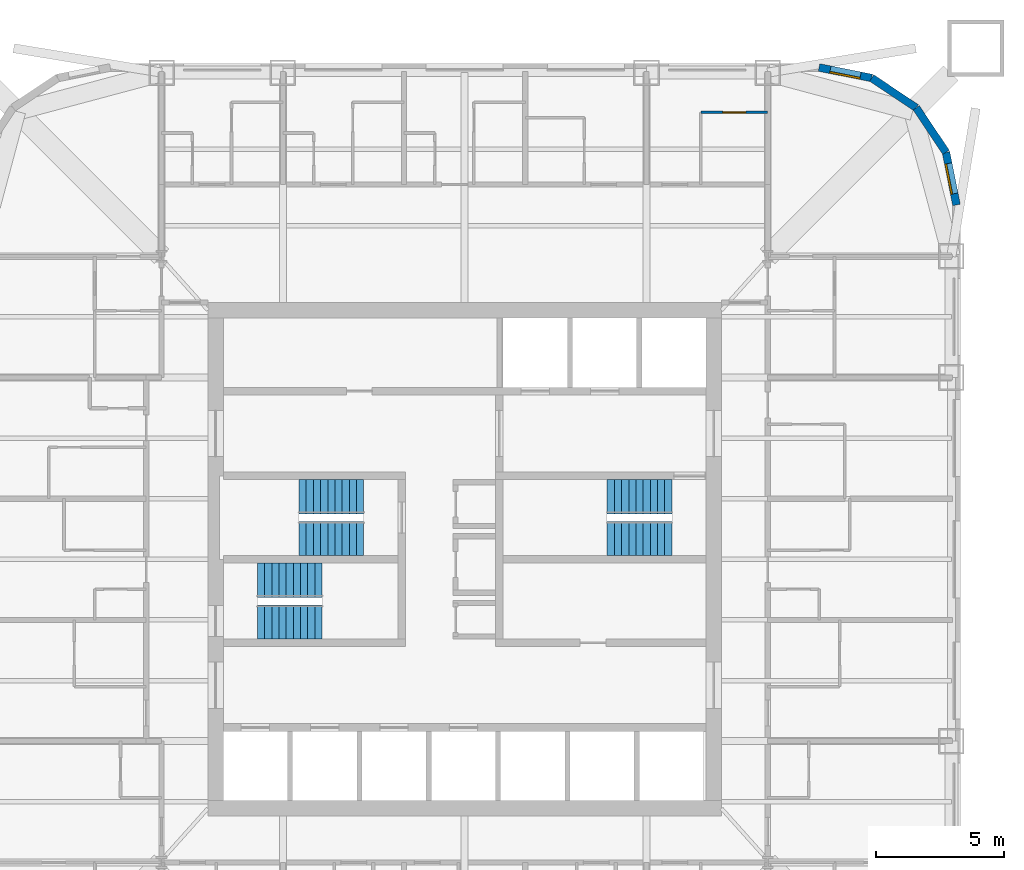
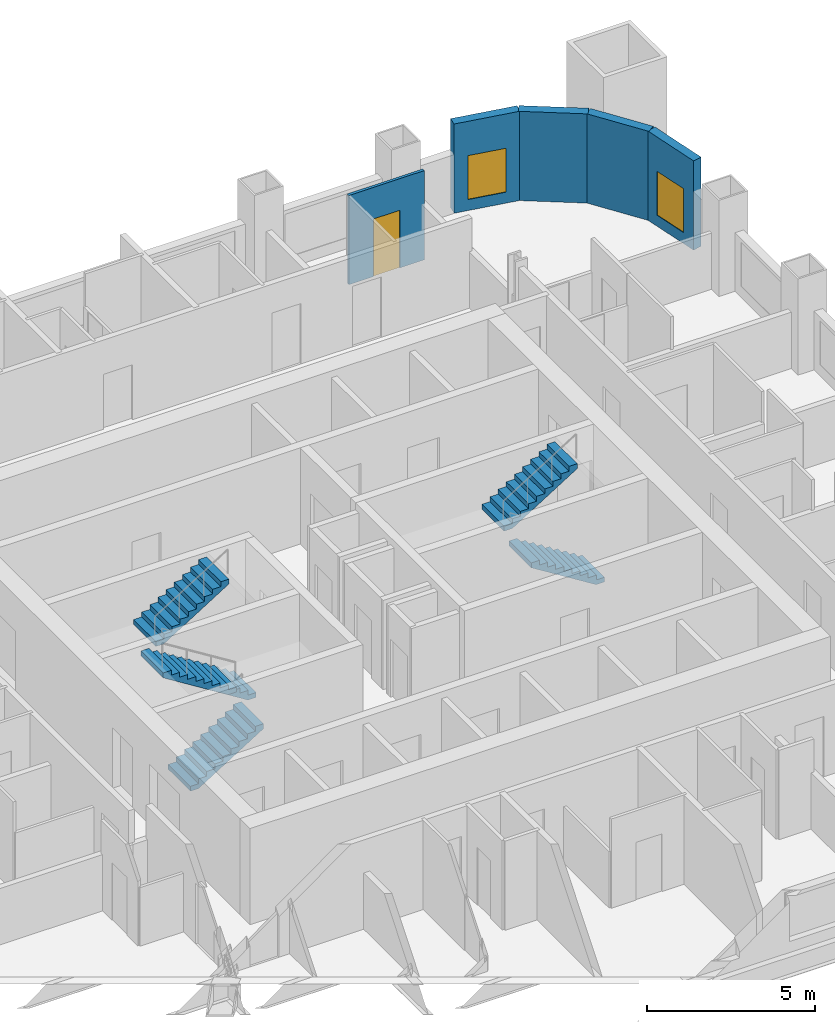
# One storey, part 8 of 9: 6 stair flights, 5 walls, 2 windows, 1 door, 3 openings, 3 elements without a shape of their own.
"""IFC4 building model written with IfcOpenShell, lengths in metres."""

import ifcopenshell
import ifcopenshell.guid

model = None  # the IFC model being written
_history = None  # IfcOwnerHistory: only IFC2X3 demands one
_inside = {}  # id of a spatial element -> (the spatial element, [elements in it])
_under = {}  # id of a project, library or spatial element -> (it, [spatial elements below it])
_declared = {}  # id of a project -> (the project, [libraries it declares])
_typed = {}  # id of a type object -> (the type object, [elements of that type])
_made_of = {}  # id of a material, layer set ... -> (it, [elements and type objects made of it])


def new_model(schema):
    """Start an empty IFC model of exactly this schema.

    Asked for "IFC4X3", IfcOpenShell would pick the latest addendum, in which some entities
    have other attributes; the version numbers below select the first issue.
    IFC2X3 requires an IfcOwnerHistory on every rooted entity: one is made here for all.
    """
    global model, _history
    if schema == "IFC4X3":
        model = ifcopenshell.file(schema_version=(4, 3, 0, 0))
    else:
        model = ifcopenshell.file(schema=schema)
    _inside.clear()
    _under.clear()
    _declared.clear()
    _typed.clear()
    _made_of.clear()
    _history = None
    if model.schema == "IFC2X3":
        org = make("IfcOrganization", Name="unknown")
        user = make(
            "IfcPersonAndOrganization",
            ThePerson=make("IfcPerson", FamilyName="unknown"),
            TheOrganization=org,
        )
        app = make(
            "IfcApplication",
            ApplicationDeveloper=org,
            Version="unknown",
            ApplicationFullName="unknown",
            ApplicationIdentifier="unknown",
        )
        _history = make(
            "IfcOwnerHistory",
            OwningUser=user,
            OwningApplication=app,
            ChangeAction="ADDED",
            CreationDate=0,
        )
    return model


def make(cls, **values):
    """One entity of the class cls with the attributes given. An attribute that is None is left unset."""
    return model.create_entity(
        cls, **{name: value for name, value in values.items() if value is not None}
    )


def rooted(cls, **values):
    """An entity with a GlobalId (a new one), such as an element, a storey or a relation."""
    return make(cls, GlobalId=ifcopenshell.guid.new(), OwnerHistory=_history, **values)


def si_unit(unit_type, name, prefix=None):
    """IfcSIUnit, for example si_unit("LENGTHUNIT", "METRE", prefix="MILLI")."""
    return make("IfcSIUnit", UnitType=unit_type, Prefix=prefix, Name=name)


def assignment(units):
    """IfcUnitAssignment: the units of a project."""
    return None if units is None else make("IfcUnitAssignment", Units=units)


def point(xyz):
    """IfcCartesianPoint."""
    return None if xyz is None else make("IfcCartesianPoint", Coordinates=xyz)


def direction(xyz):
    """IfcDirection."""
    return None if xyz is None else make("IfcDirection", DirectionRatios=xyz)


def frame(location, z_axis=None, x_axis=None):
    """IfcAxis2Placement3D, a coordinate frame: its origin and axes. An axis left out is left unset."""
    return make(
        "IfcAxis2Placement3D",
        Location=point(location),
        Axis=direction(z_axis),
        RefDirection=direction(x_axis),
    )


def frame_2d(location, x_axis=None):
    """IfcAxis2Placement2D, a coordinate frame in the plane: its origin and x axis."""
    return make(
        "IfcAxis2Placement2D", Location=point(location), RefDirection=direction(x_axis)
    )


def origin():
    """The frame at (0, 0, 0) with its axes left unset."""
    return frame((0.0, 0.0, 0.0))


def place(relative_to, where):
    """IfcLocalPlacement: puts the frame where relative to a parent placement (None: the world)."""
    return make(
        "IfcLocalPlacement", PlacementRelTo=relative_to, RelativePlacement=where
    )


def context(
    kind, dimensions, precision=None, world=None, true_north=None, identifier=None
):
    """IfcGeometricRepresentationContext, for example the 3D "Model" context."""
    return make(
        "IfcGeometricRepresentationContext",
        ContextIdentifier=identifier,
        ContextType=kind,
        CoordinateSpaceDimension=dimensions,
        Precision=precision,
        WorldCoordinateSystem=world,
        TrueNorth=true_north,
    )


def subcontext(parent, identifier, kind, view, scale=None):
    """IfcGeometricRepresentationSubContext, for example "Body" below "Model"."""
    return make(
        "IfcGeometricRepresentationSubContext",
        ContextIdentifier=identifier,
        ContextType=kind,
        ParentContext=parent,
        TargetScale=scale,
        TargetView=view,
    )


def project(units=None, contexts=None):
    """IfcProject with its units and contexts."""
    return rooted(
        "IfcProject",
        Name="project",
        RepresentationContexts=contexts,
        UnitsInContext=assignment(units),
    )


def spatial(cls, under=None, at=None, **own):
    """A site, building, storey or space (cls), placed at a placement, below another one or the project."""
    s = rooted(cls, ObjectPlacement=at, **own)
    if under is not None:
        _under.setdefault(under.id(), (under, []))[1].append(s)
    return s


def polyline(points):
    """IfcPolyline through the points."""
    return make("IfcPolyline", Points=[point(p) for p in points])


def profile(cls, at=None, kind="AREA", **sizes):
    """A parametric profile (cls). Its sizes go by their IFC names, for example OverallWidth=200.0."""
    return make(cls, ProfileType=kind, Position=at, **sizes)


def rectangle(**sizes):
    """IfcRectangleProfileDef."""
    return profile("IfcRectangleProfileDef", **sizes)


def outline(outer, holes=None, kind="AREA"):
    """IfcArbitraryClosedProfileDef: a profile drawn as a closed curve; with holes, ...WithVoids."""
    if holes is None:
        return make("IfcArbitraryClosedProfileDef", ProfileType=kind, OuterCurve=outer)
    return make(
        "IfcArbitraryProfileDefWithVoids",
        ProfileType=kind,
        OuterCurve=outer,
        InnerCurves=holes,
    )


def extrude(swept, where, along, depth):
    """IfcExtrudedAreaSolid: the profile swept, set in the frame where, extruded along a direction by depth."""
    return make(
        "IfcExtrudedAreaSolid",
        SweptArea=swept,
        Position=where,
        ExtrudedDirection=direction(along),
        Depth=depth,
    )


def shape(context_of_items, identifier, shape_type, items):
    """IfcShapeRepresentation: the items that make up one representation, for example the "Body"."""
    return make(
        "IfcShapeRepresentation",
        ContextOfItems=context_of_items,
        RepresentationIdentifier=identifier,
        RepresentationType=shape_type,
        Items=items,
    )


def material(Name=None, Category=None):
    """IfcMaterial."""
    return make("IfcMaterial", Name=Name, Category=Category)


def layer(
    of_material, thickness, ventilated=None, Name=None, Category=None, Priority=None
):
    """IfcMaterialLayer: one layer of a wall or slab, of a material (None: an air gap)."""
    return make(
        "IfcMaterialLayer",
        Material=of_material,
        LayerThickness=thickness,
        IsVentilated=ventilated,
        Name=Name,
        Category=Category,
        Priority=Priority,
    )


def layer_set(layers, Name=None):
    """IfcMaterialLayerSet."""
    return make("IfcMaterialLayerSet", MaterialLayers=layers, LayerSetName=Name)


def made_of(thing, what):
    """Note that an element or type object is made of a material, layer set ...; save() writes the relation."""
    if what is not None:
        _made_of.setdefault(what.id(), (what, []))[1].append(thing)
    return thing


def type_object(cls, material=None, **own):
    """A type object (cls), such as IfcWallType, which elements share."""
    return made_of(rooted(cls, **own), material)


def element(
    cls,
    number,
    at=None,
    inside=None,
    cuts=None,
    type_object=None,
    material=None,
    context=None,
    identifier="Body",
    shape_type=None,
    held_by="IfcProductDefinitionShape",
    body=None,
    shapes=None,
    **own,
):
    """One element of the class cls, such as IfcWall. Its Tag is "e" and its number.

    at: its placement. inside: the storey or other place that contains it. cuts: it is an
    opening in that element (IfcRelVoidsElement). A single representation is given by context,
    identifier, shape_type and body (its items); several are given by shapes. held_by: the class
    of the entity that holds the representations. save() writes the other relations.
    """
    e = rooted(cls, Tag="e%d" % number, ObjectPlacement=at, **own)
    if body is not None:
        shapes = [shape(context, identifier, shape_type, body)]
    if shapes is not None:
        e.Representation = make(held_by, Representations=shapes)
    if inside is not None:
        _inside.setdefault(inside.id(), (inside, []))[1].append(e)
    if cuts is not None:
        rooted(
            "IfcRelVoidsElement", RelatingBuildingElement=cuts, RelatedOpeningElement=e
        )
    if type_object is not None:
        _typed.setdefault(type_object.id(), (type_object, []))[1].append(e)
    return made_of(e, material)


def fill(opening, filler):
    """IfcRelFillsElement: the door or window that sits in an opening."""
    return rooted(
        "IfcRelFillsElement",
        RelatingOpeningElement=opening,
        RelatedBuildingElement=filler,
    )


def aggregate(whole, parts):
    """IfcRelAggregates: a whole, such as a stair, and the parts it consists of."""
    return rooted("IfcRelAggregates", RelatingObject=whole, RelatedObjects=parts)


def save(model, path):
    """Write the relations noted so far, then the file.

    IfcRelAggregates (storeys below a building ...), IfcRelContainedInSpatialStructure (elements
    in a storey), IfcRelDefinesByType, IfcRelAssociatesMaterial and IfcRelDeclares: one each for
    every whole, place, type object, material and project.
    """
    for whole, parts in _under.values():
        aggregate(whole, parts)
    for where, things in _inside.values():
        rooted(
            "IfcRelContainedInSpatialStructure",
            RelatedElements=things,
            RelatingStructure=where,
        )
    for kind, things in _typed.values():
        rooted("IfcRelDefinesByType", RelatedObjects=things, RelatingType=kind)
    for what, things in _made_of.values():
        rooted("IfcRelAssociatesMaterial", RelatedObjects=things, RelatingMaterial=what)
    for by, libraries in _declared.values():
        rooted("IfcRelDeclares", RelatingContext=by, RelatedDefinitions=libraries)
    model.write(path)


model = new_model("IFC4")

# Units and contexts
model_context = context("Model", 3, precision=1e-05, world=origin(), true_north=direction((0.0, 1.0)))
body_context = subcontext(model_context, "Body", "Model", "MODEL_VIEW")
ifc_project = project(units=[si_unit("LENGTHUNIT", "METRE"), si_unit("AREAUNIT", "SQUARE_METRE"), si_unit("VOLUMEUNIT", "CUBIC_METRE"), si_unit("PLANEANGLEUNIT", "RADIAN"), si_unit("MASSUNIT", "GRAM", prefix="KILO")], contexts=[model_context])

# Site, building, storey
site_placement = place(None, origin())
site = spatial("IfcSite", under=ifc_project, at=site_placement, CompositionType="ELEMENT")
building_placement = place(site_placement, origin())
building = spatial("IfcBuilding", under=site, at=building_placement, Name="Turquesa Mirador Hotel Tower", CompositionType="ELEMENT")
storey_placement = place(building_placement, frame((0.0, 0.0, 217.800048828125)))
storey = spatial("IfcBuildingStorey", under=building, at=storey_placement, Name="L59", CompositionType="ELEMENT", Elevation=217.800048828125)

# Wall, opening, door
ifc_material_1 = material(Name="Gypsum board on steel studs", Category="steel")
ifc_layer_1 = layer(ifc_material_1, 0.10009765625)
ifc_layer_set_1 = layer_set([ifc_layer_1], Name="BATHROOM WALL 100")
wall_type_1 = type_object("IfcWallType", Name="BATHROOM WALL 100", PredefinedType="PARTITIONING", material=ifc_layer_set_1)
wall_1_placement = place(storey_placement, frame((64.199951171875, 62.39990234375, 0.0), z_axis=(0.0, 0.0, 1.0), x_axis=(1.0, 0.0, 0.0)))
wall_1 = element("IfcWall", 1, at=wall_1_placement, inside=storey, type_object=wall_type_1, Name="Partition L59 037", PredefinedType="PARTITIONING", context=body_context, shape_type="SweptSolid", body=[
    extrude(rectangle(XDim=2.60009765625, YDim=0.10009765625, at=frame_2d((1.300048828125, 0.0))), origin(), (0.0, 0.0, 1.0), 3.25),
])
opening_1_placement = place(wall_1_placement, frame((0.85009765625, 0.0, 0.0)))
opening_1 = element("IfcOpeningElement", 2, at=opening_1_placement, cuts=wall_1, Name="Opening D02", PredefinedType="OPENING", context=body_context, shape_type="SweptSolid", body=[
    extrude(rectangle(XDim=0.89990234375, YDim=2.10009765625, at=frame_2d((0.449951171875, 1.050048828125))), frame((0.0, 0.06005859375, 0.0), z_axis=(0.0, -1.0, 0.0), x_axis=(1.0, 0.0, 0.0)), (0.0, 0.0, 1.0), 0.1201171875),
])
ifc_material_2 = material(Name="Timber veneered door", Category="wood")
door_type = type_object("IfcDoorType", Name="DOOR 900X2100 EN-SUITE", OperationType="SINGLE_SWING_RIGHT", PredefinedType="DOOR", material=ifc_material_2)
door_placement = place(opening_1_placement, origin())
door = element("IfcDoor", 3, at=door_placement, inside=storey, type_object=door_type, Name="Door 5905B", OperationType="SINGLE_SWING_RIGHT", OverallHeight=2.10009765625, OverallWidth=0.89990234375, PredefinedType="DOOR", context=body_context, shape_type="SweptSolid", body=[
    extrude(rectangle(XDim=0.89990234375, YDim=2.10009765625, at=frame_2d((0.449951171875, 1.050048828125))), frame((0.0, 0.02490234375, 0.0), z_axis=(0.0, -1.0, 0.0), x_axis=(1.0, 0.0, 0.0)), (0.0, 0.0, 1.0), 0.050048828125),
])
fill(opening_1, door)

# Wall, opening, window
ifc_material_3 = material(Name="Limestone cladding on concrete block", Category="masonry")
ifc_layer_2 = layer(ifc_material_3, 0.300048828125)
ifc_layer_set_2 = layer_set([ifc_layer_2], Name="FACADE WALL 300 STONE SCREEN")
wall_type_2 = type_object("IfcWallType", Name="FACADE WALL 300 STONE SCREEN", PredefinedType="SOLIDWALL", material=ifc_layer_set_2)
wall_2_placement = place(storey_placement, frame((74.14990234375, 58.800048828125, 0.0), z_axis=(0.0, 0.0, 1.0), x_axis=(-0.195081421501, 0.980787050784, 0.0)))
wall_2 = element("IfcWall", 4, at=wall_2_placement, inside=storey, type_object=wall_type_2, Name="Facade wall L59 05", PredefinedType="SOLIDWALL", context=body_context, shape_type="SweptSolid", body=[
    extrude(rectangle(XDim=2.08740234375, YDim=0.300048828125, at=frame_2d((1.043701171875, 0.0))), origin(), (0.0, 0.0, 1.0), 3.25),
])
opening_2_placement = place(wall_2_placement, frame((0.443603515625, 0.0, 0.39990234375)))
opening_2 = element("IfcOpeningElement", 5, at=opening_2_placement, cuts=wall_2, Name="Opening WN8", PredefinedType="OPENING", context=body_context, shape_type="SweptSolid", body=[
    extrude(rectangle(XDim=1.199951171875, YDim=1.60009765625, at=frame_2d((0.60009765625, 0.800048828125))), frame((0.0, 0.159912109375, 0.0), z_axis=(0.0, -1.0, 0.0), x_axis=(1.0, 0.0, 0.0)), (0.0, 0.0, 1.0), 0.320068359375),
])
ifc_material_4 = material(Name="Ceramic-fritted laminated glass", Category="glass")
window_type = type_object("IfcWindowType", Name="FRITTED CORNER WINDOW 1200X1600", PartitioningType="DOUBLE_PANEL_HORIZONTAL", PredefinedType="WINDOW", material=ifc_material_4)
window_1_placement = place(opening_2_placement, origin())
window_1 = element("IfcWindow", 6, at=window_1_placement, inside=storey, type_object=window_type, Name="Window L59", OverallHeight=1.60009765625, OverallWidth=1.199951171875, PartitioningType="SINGLE_PANEL", PredefinedType="WINDOW", context=body_context, shape_type="SweptSolid", body=[
    extrude(rectangle(XDim=1.199951171875, YDim=1.60009765625, at=frame_2d((0.60009765625, 0.800048828125))), frame((0.0, 0.130126953125, 0.0), z_axis=(0.0, -1.0, 0.0), x_axis=(1.0, 0.0, 0.0)), (0.0, 0.0, 1.0), 0.06005859375),
])
fill(opening_2, window_1)

# Walls
for number, where, z_axis, x_axis, name in (
    (7, (73.74267578125, 60.847412109375, 0.0), (0.0, 0.0, 1.0), (-0.555563607591, 0.831474039234, 0.0), "Facade wall L59 06"),
    (8, (72.5830078125, 62.5830078125, 0.0), (0.0, 0.0, 1.0), (-0.831474039234, 0.555563607591, 0.0), "Facade wall L59 07"),
):
    element("IfcWall", number, at=place(storey_placement, frame(where, z_axis=z_axis, x_axis=x_axis)), inside=storey, type_object=wall_type_2, Name=name, PredefinedType="SOLIDWALL", context=body_context, shape_type="SweptSolid", body=[
        extrude(rectangle(XDim=2.08740234375, YDim=0.300048828125, at=frame_2d((1.043701171875, 0.0))), origin(), (0.0, 0.0, 1.0), 3.25),
    ])

# Wall, opening, window
wall_3_placement = place(storey_placement, frame((70.847412109375, 63.74267578125, 0.0), z_axis=(0.0, 0.0, 1.0), x_axis=(-0.980787050784, 0.195081421501, 0.0)))
wall_3 = element("IfcWall", 9, at=wall_3_placement, inside=storey, type_object=wall_type_2, Name="Facade wall L59 08", PredefinedType="SOLIDWALL", context=body_context, shape_type="SweptSolid", body=[
    extrude(rectangle(XDim=2.08740234375, YDim=0.300048828125, at=frame_2d((1.043701171875, 0.0))), origin(), (0.0, 0.0, 1.0), 3.25),
])
opening_3_placement = place(wall_3_placement, frame((0.443603515625, 0.0, 0.39990234375)))
opening_3 = element("IfcOpeningElement", 10, at=opening_3_placement, cuts=wall_3, Name="Opening WN8", PredefinedType="OPENING", context=body_context, shape_type="SweptSolid", body=[
    extrude(rectangle(XDim=1.199951171875, YDim=1.60009765625, at=frame_2d((0.60009765625, 0.800048828125))), frame((0.0, 0.159912109375, 0.0), z_axis=(0.0, -1.0, 0.0), x_axis=(1.0, 0.0, 0.0)), (0.0, 0.0, 1.0), 0.320068359375),
])
window_2_placement = place(opening_3_placement, origin())
window_2 = element("IfcWindow", 11, at=window_2_placement, inside=storey, type_object=window_type, Name="Window L59", OverallHeight=1.60009765625, OverallWidth=1.199951171875, PartitioningType="SINGLE_PANEL", PredefinedType="WINDOW", context=body_context, shape_type="SweptSolid", body=[
    extrude(rectangle(XDim=1.199951171875, YDim=1.60009765625, at=frame_2d((0.60009765625, 0.800048828125))), frame((0.0, 0.130126953125, 0.0), z_axis=(0.0, -1.0, 0.0), x_axis=(1.0, 0.0, 0.0)), (0.0, 0.0, 1.0), 0.06005859375),
])
fill(opening_3, window_2)

# Stair, stair flights
ifc_material_5 = material(Name="Concrete C35/45", Category="concrete")
stair_type = type_object("IfcStairType", Name="ESCAPE STAIR CORE", PredefinedType="HALF_TURN_STAIR", material=ifc_material_5)
stair_1_placement = place(storey_placement, origin())
stair_1 = element("IfcStair", 12, at=stair_1_placement, inside=storey, type_object=stair_type, Name="Stair ST1 L59 to L60", PredefinedType="HALF_TURN_STAIR")
ifc_material_6 = material(Name="Concrete C35/45 precast flight", Category="concrete")
stair_flight_type = type_object("IfcStairFlightType", Name="STAIR FLIGHT 1330", PredefinedType="STRAIGHT", material=ifc_material_6)
stair_flight_1_placement = place(storey_placement, frame((51.070068359375, 45.81494140625, 0.0), z_axis=(0.0, 0.0, 1.0), x_axis=(-1.0, 0.0, 0.0)))
stair_flight_1 = element("IfcStairFlight", 13, at=stair_flight_1_placement, type_object=stair_flight_type, Name="ST1 flight 1", NumberOfRisers=10, NumberOfTreads=9, PredefinedType="STRAIGHT", RiserHeight=0.175, TreadLength=0.28, context=body_context, shape_type="SweptSolid", body=[
    extrude(outline(polyline([(0.0, 0.0), (0.0, 0.175048828125), (0.280029296875, 0.175048828125), (0.280029296875, 0.35009765625), (0.56005859375, 0.35009765625), (0.56005859375, 0.52490234375), (0.840087890625, 0.52490234375), (0.840087890625, 0.699951171875), (1.1201171875, 0.699951171875), (1.1201171875, 0.875), (1.39990234375, 0.875), (1.39990234375, 1.050048828125), (1.679931640625, 1.050048828125), (1.679931640625, 1.22509765625), (1.9599609375, 1.22509765625), (1.9599609375, 1.39990234375), (2.239990234375, 1.39990234375), (2.239990234375, 1.574951171875), (2.52001953125, 1.574951171875), (2.52001953125, 1.75), (2.52001953125, 1.398193359375), (0.28271484375, 0.0), (0.0, 0.0)])), frame((0.0, 0.6650390625, 0.0), z_axis=(0.0, -1.0, 0.0), x_axis=(1.0, 0.0, 0.0)), (0.0, 0.0, 1.0), 1.330078125),
])
stair_flight_2_placement = place(storey_placement, frame((48.550048828125, 47.43505859375, 1.75), z_axis=(0.0, 0.0, 1.0), x_axis=(1.0, 0.0, 0.0)))
stair_flight_2 = element("IfcStairFlight", 14, at=stair_flight_2_placement, type_object=stair_flight_type, Name="ST1 flight 2", NumberOfRisers=10, NumberOfTreads=9, PredefinedType="STRAIGHT", RiserHeight=0.175, TreadLength=0.28, context=body_context, shape_type="SweptSolid", body=[
    extrude(outline(polyline([(0.0, 0.0), (0.0, 0.175048828125), (0.280029296875, 0.175048828125), (0.280029296875, 0.35009765625), (0.56005859375, 0.35009765625), (0.56005859375, 0.52490234375), (0.840087890625, 0.52490234375), (0.840087890625, 0.699951171875), (1.1201171875, 0.699951171875), (1.1201171875, 0.875), (1.39990234375, 0.875), (1.39990234375, 1.050048828125), (1.679931640625, 1.050048828125), (1.679931640625, 1.22509765625), (1.9599609375, 1.22509765625), (1.9599609375, 1.39990234375), (2.239990234375, 1.39990234375), (2.239990234375, 1.574951171875), (2.52001953125, 1.574951171875), (2.52001953125, 1.75), (2.52001953125, 1.398193359375), (0.28271484375, 0.0), (0.0, 0.0)])), frame((0.0, 0.6650390625, 0.0), z_axis=(0.0, -1.0, 0.0), x_axis=(1.0, 0.0, 0.0)), (0.0, 0.0, 1.0), 1.330078125),
])
aggregate(stair_1, [stair_flight_1, stair_flight_2])

stair_2_placement = place(storey_placement, origin())
stair_2 = element("IfcStair", 15, at=stair_2_placement, inside=storey, type_object=stair_type, Name="Stair ST2 L59 to L60", PredefinedType="HALF_TURN_STAIR")
stair_flight_3_placement = place(storey_placement, frame((46.929931640625, 42.56494140625, 0.0), z_axis=(0.0, 0.0, 1.0), x_axis=(1.0, 0.0, 0.0)))
stair_flight_3 = element("IfcStairFlight", 16, at=stair_flight_3_placement, type_object=stair_flight_type, Name="ST2 flight 1", NumberOfRisers=10, NumberOfTreads=9, PredefinedType="STRAIGHT", RiserHeight=0.175, TreadLength=0.28, context=body_context, shape_type="SweptSolid", body=[
    extrude(outline(polyline([(0.0, 0.0), (0.0, 0.175048828125), (0.280029296875, 0.175048828125), (0.280029296875, 0.35009765625), (0.56005859375, 0.35009765625), (0.56005859375, 0.52490234375), (0.840087890625, 0.52490234375), (0.840087890625, 0.699951171875), (1.1201171875, 0.699951171875), (1.1201171875, 0.875), (1.39990234375, 0.875), (1.39990234375, 1.050048828125), (1.679931640625, 1.050048828125), (1.679931640625, 1.22509765625), (1.9599609375, 1.22509765625), (1.9599609375, 1.39990234375), (2.239990234375, 1.39990234375), (2.239990234375, 1.574951171875), (2.52001953125, 1.574951171875), (2.52001953125, 1.75), (2.52001953125, 1.398193359375), (0.28271484375, 0.0), (0.0, 0.0)])), frame((0.0, 0.6650390625, 0.0), z_axis=(0.0, -1.0, 0.0), x_axis=(1.0, 0.0, 0.0)), (0.0, 0.0, 1.0), 1.330078125),
])
stair_flight_4_placement = place(storey_placement, frame((49.449951171875, 44.18505859375, 1.75), z_axis=(0.0, 0.0, 1.0), x_axis=(-1.0, 0.0, 0.0)))
stair_flight_4 = element("IfcStairFlight", 17, at=stair_flight_4_placement, type_object=stair_flight_type, Name="ST2 flight 2", NumberOfRisers=10, NumberOfTreads=9, PredefinedType="STRAIGHT", RiserHeight=0.175, TreadLength=0.28, context=body_context, shape_type="SweptSolid", body=[
    extrude(outline(polyline([(0.0, 0.0), (0.0, 0.175048828125), (0.280029296875, 0.175048828125), (0.280029296875, 0.35009765625), (0.56005859375, 0.35009765625), (0.56005859375, 0.52490234375), (0.840087890625, 0.52490234375), (0.840087890625, 0.699951171875), (1.1201171875, 0.699951171875), (1.1201171875, 0.875), (1.39990234375, 0.875), (1.39990234375, 1.050048828125), (1.679931640625, 1.050048828125), (1.679931640625, 1.22509765625), (1.9599609375, 1.22509765625), (1.9599609375, 1.39990234375), (2.239990234375, 1.39990234375), (2.239990234375, 1.574951171875), (2.52001953125, 1.574951171875), (2.52001953125, 1.75), (2.52001953125, 1.398193359375), (0.28271484375, 0.0), (0.0, 0.0)])), frame((0.0, 0.6650390625, 0.0), z_axis=(0.0, -1.0, 0.0), x_axis=(1.0, 0.0, 0.0)), (0.0, 0.0, 1.0), 1.330078125),
])
aggregate(stair_2, [stair_flight_3, stair_flight_4])

stair_3_placement = place(storey_placement, origin())
stair_3 = element("IfcStair", 18, at=stair_3_placement, inside=storey, type_object=stair_type, Name="Stair ST3 L59 to L60", PredefinedType="HALF_TURN_STAIR")
stair_flight_5_placement = place(storey_placement, frame((63.070068359375, 45.81494140625, 0.0), z_axis=(0.0, 0.0, 1.0), x_axis=(-1.0, 0.0, 0.0)))
stair_flight_5 = element("IfcStairFlight", 19, at=stair_flight_5_placement, type_object=stair_flight_type, Name="ST3 flight 1", NumberOfRisers=10, NumberOfTreads=9, PredefinedType="STRAIGHT", RiserHeight=0.175, TreadLength=0.28, context=body_context, shape_type="SweptSolid", body=[
    extrude(outline(polyline([(0.0, 0.0), (0.0, 0.175048828125), (0.280029296875, 0.175048828125), (0.280029296875, 0.35009765625), (0.56005859375, 0.35009765625), (0.56005859375, 0.52490234375), (0.840087890625, 0.52490234375), (0.840087890625, 0.699951171875), (1.1201171875, 0.699951171875), (1.1201171875, 0.875), (1.39990234375, 0.875), (1.39990234375, 1.050048828125), (1.679931640625, 1.050048828125), (1.679931640625, 1.22509765625), (1.9599609375, 1.22509765625), (1.9599609375, 1.39990234375), (2.239990234375, 1.39990234375), (2.239990234375, 1.574951171875), (2.52001953125, 1.574951171875), (2.52001953125, 1.75), (2.52001953125, 1.398193359375), (0.28271484375, 0.0), (0.0, 0.0)])), frame((0.0, 0.6650390625, 0.0), z_axis=(0.0, -1.0, 0.0), x_axis=(1.0, 0.0, 0.0)), (0.0, 0.0, 1.0), 1.330078125),
])
stair_flight_6_placement = place(storey_placement, frame((60.550048828125, 47.43505859375, 1.75), z_axis=(0.0, 0.0, 1.0), x_axis=(1.0, 0.0, 0.0)))
stair_flight_6 = element("IfcStairFlight", 20, at=stair_flight_6_placement, type_object=stair_flight_type, Name="ST3 flight 2", NumberOfRisers=10, NumberOfTreads=9, PredefinedType="STRAIGHT", RiserHeight=0.175, TreadLength=0.28, context=body_context, shape_type="SweptSolid", body=[
    extrude(outline(polyline([(0.0, 0.0), (0.0, 0.175048828125), (0.280029296875, 0.175048828125), (0.280029296875, 0.35009765625), (0.56005859375, 0.35009765625), (0.56005859375, 0.52490234375), (0.840087890625, 0.52490234375), (0.840087890625, 0.699951171875), (1.1201171875, 0.699951171875), (1.1201171875, 0.875), (1.39990234375, 0.875), (1.39990234375, 1.050048828125), (1.679931640625, 1.050048828125), (1.679931640625, 1.22509765625), (1.9599609375, 1.22509765625), (1.9599609375, 1.39990234375), (2.239990234375, 1.39990234375), (2.239990234375, 1.574951171875), (2.52001953125, 1.574951171875), (2.52001953125, 1.75), (2.52001953125, 1.398193359375), (0.28271484375, 0.0), (0.0, 0.0)])), frame((0.0, 0.6650390625, 0.0), z_axis=(0.0, -1.0, 0.0), x_axis=(1.0, 0.0, 0.0)), (0.0, 0.0, 1.0), 1.330078125),
])
aggregate(stair_3, [stair_flight_5, stair_flight_6])

save(model, "model.ifc")
